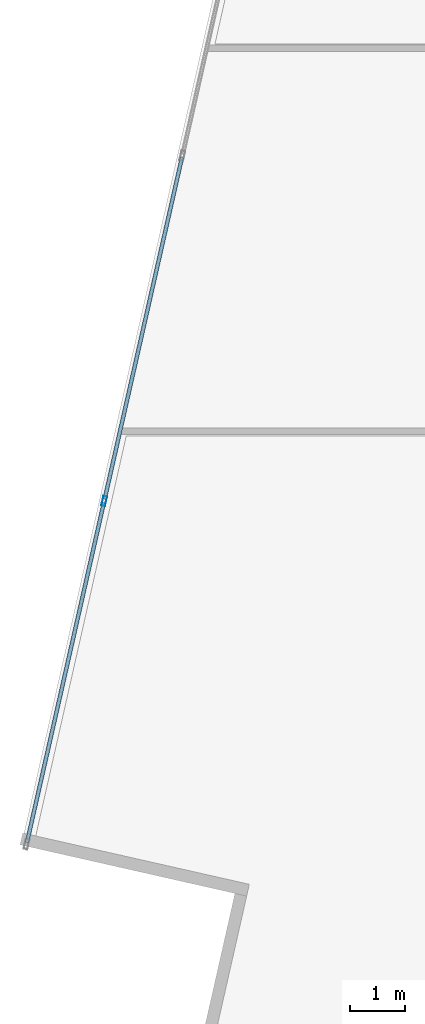
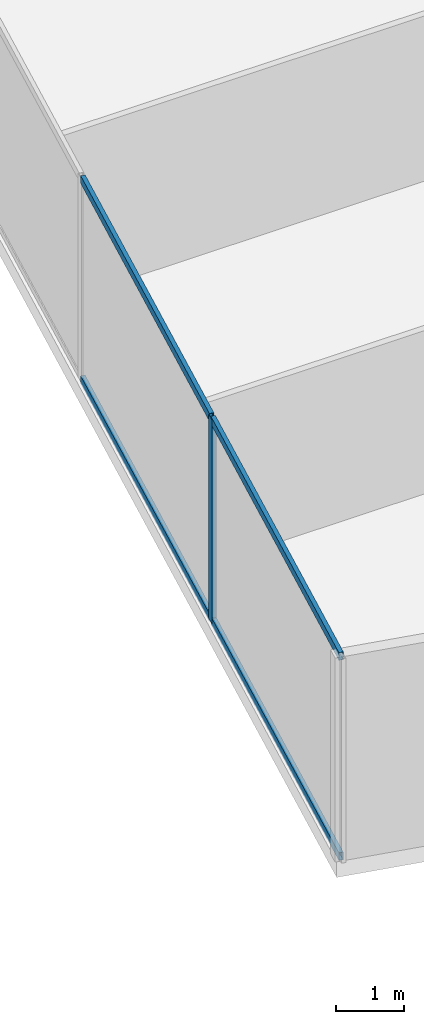
# One storey, part 6 of 27: 5 members, 1 element without a shape of its own.
"""IFC4 building model written with IfcOpenShell, lengths in metres."""

from ifc_helpers import new_model, si_unit, direction, frame, origin, origin_2d, place, context, subcontext, project, spatial, hollow_rectangle, extrude, source, transform, mapped, material, material_profile, profile_set, type_object, type_shapes, element, aggregate, save


model = new_model("IFC4")

# Units and contexts
model_context = context("Model", 3, precision=1e-05, world=origin(), true_north=direction((0.0, 1.0)))
body_context = subcontext(model_context, "Body", "Model", "MODEL_VIEW")
ifc_project = project(units=[si_unit("LENGTHUNIT", "METRE"), si_unit("AREAUNIT", "SQUARE_METRE"), si_unit("VOLUMEUNIT", "CUBIC_METRE"), si_unit("PLANEANGLEUNIT", "RADIAN"), si_unit("MASSUNIT", "GRAM", prefix="KILO")], contexts=[model_context])

# Site, building, storey
site_placement = place(None, origin())
site = spatial("IfcSite", under=ifc_project, at=site_placement, CompositionType="ELEMENT")
building_placement = place(site_placement, origin())
building = spatial("IfcBuilding", under=site, at=building_placement, Name="Krantzveldt Concourse Tower", CompositionType="ELEMENT")
storey_placement = place(building_placement, frame((0.0, 0.0, 86.10009765625)))
storey = spatial("IfcBuildingStorey", under=building, at=storey_placement, Name="L20", CompositionType="ELEMENT", Elevation=86.10009765625)

# Curtain wall, members
ifc_material = material(Name="Anodised aluminium 6063-T6", Category="aluminium")
curtain_wall_type = type_object("IfcCurtainWallType", Name="CW2", PredefinedType="USERDEFINED", material=ifc_material)
curtain_wall_placement = place(storey_placement, origin())
curtain_wall = element("IfcCurtainWall", 1, at=curtain_wall_placement, inside=storey, type_object=curtain_wall_type, Name="CW-L20-F01", ObjectType="UNITISED CURTAIN WALL", PredefinedType="USERDEFINED")
ifc_material_profile_1 = material_profile(ifc_material, hollow_rectangle(XDim=0.070068359375, YDim=0.179931640625, WallThickness=0.0048828125, at=origin_2d()), Name="Anodised aluminium 6063-T6", Category="aluminium")
ifc_profile_set_1 = profile_set([ifc_material_profile_1], Name="Anodised aluminium 6063-T6 - ALU-MULL 180x70x5")
member_type_1 = type_object("IfcMemberType", Name="CW-MUL-180", PredefinedType="MULLION", material=ifc_profile_set_1)
shared_shape_1 = source(origin(), body_context, "Body", "SweptSolid", [
    extrude(hollow_rectangle(XDim=0.070068359375, YDim=0.179931640625, WallThickness=0.0048828125, at=origin_2d()), origin(), (0.0, 0.0, 1.0), 3.669921875),
])
type_shapes(member_type_1, [shared_shape_1])
member_1_placement = place(storey_placement, frame((10.410400390625, 19.22998046875, 0.0), z_axis=(0.0, 0.0, 1.0), x_axis=(0.975342320609, -0.220697434579, 0.0)))
member_1 = element("IfcMember", 2, at=member_1_placement, type_object=member_type_1, Name="CW-Z12 mullion 6", PredefinedType="MULLION", context=body_context, shape_type="MappedRepresentation", body=[
    mapped(shared_shape_1, transform((0.0, 0.0, 0.0), x_axis=(1.0, 0.0, 0.0), y_axis=(0.0, 1.0, 0.0), z_axis=(0.0, 0.0, 1.0), scale=1.0)),
])
ifc_material_profile_2 = material_profile(ifc_material, hollow_rectangle(XDim=0.070068359375, YDim=0.139892578125, WallThickness=0.0048828125, at=origin_2d()), Name="Anodised aluminium 6063-T6", Category="aluminium")
ifc_profile_set_2 = profile_set([ifc_material_profile_2], Name="Anodised aluminium 6063-T6 - ALU-TRAN 140x70x5")
member_type_2 = type_object("IfcMemberType", Name="CW-TRN-150", PredefinedType="USERDEFINED", material=ifc_profile_set_2)
shared_shape_2 = source(origin(), body_context, "Body", "SweptSolid", [
    extrude(hollow_rectangle(XDim=0.070068359375, YDim=0.139892578125, WallThickness=0.0048828125, at=origin_2d()), origin(), (0.0, 0.0, 1.0), 6.396728515625),
])
member_2_placement = place(storey_placement, frame((11.829833984375, 25.503173828125, 0.034912109375), z_axis=(-0.220679058454, -0.975346478519, 0.0), x_axis=(0.975346478519, -0.220679058454, 0.0)))
member_2 = element("IfcMember", 3, at=member_2_placement, type_object=member_type_2, Name="CW-Z12 transom 5.1", ObjectType="TRANSOM", PredefinedType="USERDEFINED", context=body_context, shape_type="MappedRepresentation", body=[
    mapped(shared_shape_2, transform((0.0, 0.0, 0.0), x_axis=(1.0, 0.0, 0.0), y_axis=(0.0, 1.0, 0.0), z_axis=(0.0, 0.0, 1.0), scale=1.0)),
])
member_3_placement = place(storey_placement, frame((11.829833984375, 25.503173828125, 3.635009765625), z_axis=(-0.220679058454, -0.975346478519, 0.0), x_axis=(0.975346478519, -0.220679058454, 0.0)))
member_3 = element("IfcMember", 4, at=member_3_placement, type_object=member_type_2, Name="CW-Z12 transom 5.2", ObjectType="TRANSOM", PredefinedType="USERDEFINED", context=body_context, shape_type="MappedRepresentation", body=[
    mapped(shared_shape_2, transform((0.0, 0.0, 0.0), x_axis=(1.0, 0.0, 0.0), y_axis=(0.0, 1.0, 0.0), z_axis=(0.0, 0.0, 1.0), scale=1.0)),
])
shared_shape_3 = source(origin(), body_context, "Body", "SweptSolid", [
    extrude(hollow_rectangle(XDim=0.070068359375, YDim=0.139892578125, WallThickness=0.0048828125, at=origin_2d()), origin(), (0.0, 0.0, 1.0), 6.361328125),
])
type_shapes(member_type_2, [shared_shape_2, shared_shape_3])
member_4_placement = place(storey_placement, frame((10.402587890625, 19.19580078125, 0.034912109375), z_axis=(-0.220675489666, -0.975347285976, 0.0), x_axis=(0.975347285976, -0.220675489666, 0.0)))
member_4 = element("IfcMember", 5, at=member_4_placement, type_object=member_type_2, Name="CW-Z12 transom 6.1", ObjectType="TRANSOM", PredefinedType="USERDEFINED", context=body_context, shape_type="MappedRepresentation", body=[
    mapped(shared_shape_3, transform((0.0, 0.0, 0.0), x_axis=(1.0, 0.0, 0.0), y_axis=(0.0, 1.0, 0.0), z_axis=(0.0, 0.0, 1.0), scale=1.0)),
])
member_5_placement = place(storey_placement, frame((10.402587890625, 19.19580078125, 3.635009765625), z_axis=(-0.220675489666, -0.975347285976, 0.0), x_axis=(0.975347285976, -0.220675489666, 0.0)))
member_5 = element("IfcMember", 6, at=member_5_placement, type_object=member_type_2, Name="CW-Z12 transom 6.2", ObjectType="TRANSOM", PredefinedType="USERDEFINED", context=body_context, shape_type="MappedRepresentation", body=[
    mapped(shared_shape_3, transform((0.0, 0.0, 0.0), x_axis=(1.0, 0.0, 0.0), y_axis=(0.0, 1.0, 0.0), z_axis=(0.0, 0.0, 1.0), scale=1.0)),
])
aggregate(curtain_wall, [member_1, member_2, member_3, member_4, member_5])

save(model, "model.ifc")
